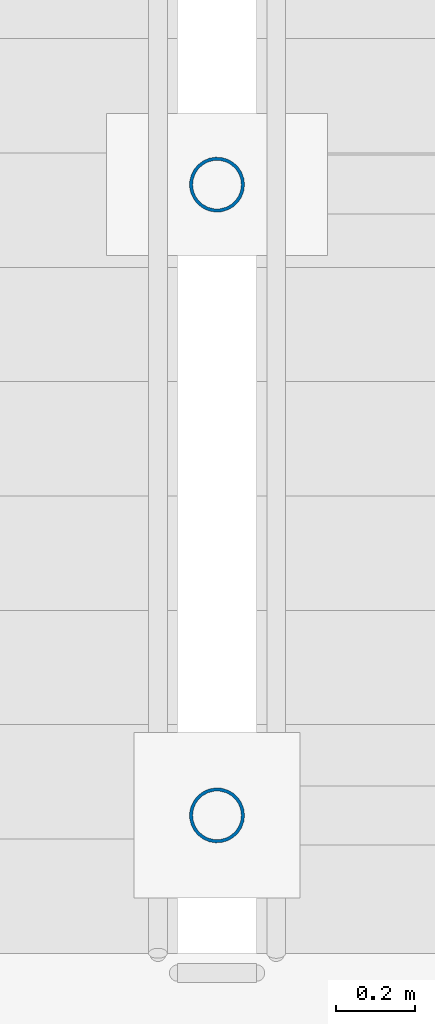
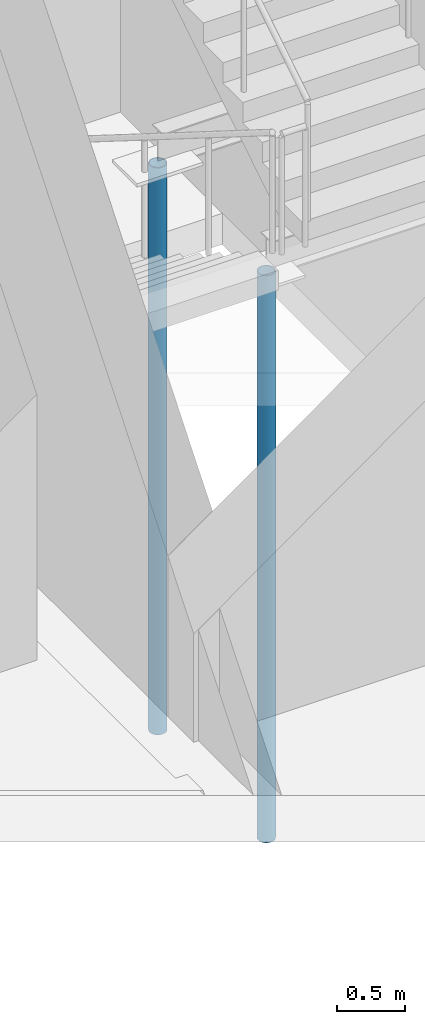
# One storey, part 5 of 93: 2 columns.
"""IFC4 building model written with IfcOpenShell, lengths in metres."""

from ifc_helpers import new_model, si_unit, direction, frame, origin, origin_2d, place, context, subcontext, project, spatial, hollow_circle, extrude, material, material_profile, profile_set, type_object, element, save


model = new_model("IFC4")

# Units and contexts
model_context = context("Model", 3, precision=1e-05, world=origin(), true_north=direction((0.0, 1.0)))
body_context = subcontext(model_context, "Body", "Model", "MODEL_VIEW")
ifc_project = project(units=[si_unit("LENGTHUNIT", "METRE"), si_unit("AREAUNIT", "SQUARE_METRE"), si_unit("VOLUMEUNIT", "CUBIC_METRE"), si_unit("PLANEANGLEUNIT", "RADIAN"), si_unit("MASSUNIT", "GRAM", prefix="KILO")], contexts=[model_context])

# Site, building, storey
site_placement = place(None, origin())
site = spatial("IfcSite", under=ifc_project, at=site_placement, CompositionType="ELEMENT")
building_placement = place(site_placement, origin())
building = spatial("IfcBuilding", under=site, at=building_placement, Name="Krzemoval Escarpment Law Courts", CompositionType="ELEMENT")
storey_placement = place(building_placement, frame((0.0, 0.0, 10.199951171875)))
storey = spatial("IfcBuildingStorey", under=building, at=storey_placement, Name="L02", CompositionType="ELEMENT", Elevation=10.199951171875)

# Columns
ifc_material = material(Name="Steel S355", Category="steel")
ifc_material_profile = material_profile(ifc_material, hollow_circle(Radius=0.06982421875, WallThickness=0.008056640625, at=origin_2d()), Name="CHS 139.7x8")
ifc_profile_set = profile_set([ifc_material_profile], Name="Steel S355")
column_type = type_object("IfcColumnType", Name="COL-S355-CHS140", PredefinedType="COLUMN", material=ifc_profile_set)
for number, where, z_axis, x_axis, name in (
    (1, (27.949951171875, 41.429931640625, -2.97998046875), (0.0, 0.0, 1.0), (1.0, 0.0, 0.0), "Stair Well Post SCP-C5-L02-1"),
    (2, (27.949951171875, 43.030029296875, -2.97998046875), (0.0, 0.0, 1.0), (1.0, 0.0, 0.0), "Stair Well Post SCP-C5-L02-2"),
):
    element("IfcColumn", number, at=place(storey_placement, frame(where, z_axis=z_axis, x_axis=x_axis)), inside=storey, type_object=column_type, Name=name, PredefinedType="COLUMN", context=body_context, shape_type="SweptSolid", body=[
        extrude(hollow_circle(Radius=0.06982421875, WallThickness=0.008056640625, at=origin_2d()), origin(), (0.0, 0.0, 1.0), 5.10009765625),
    ])

save(model, "model.ifc")
